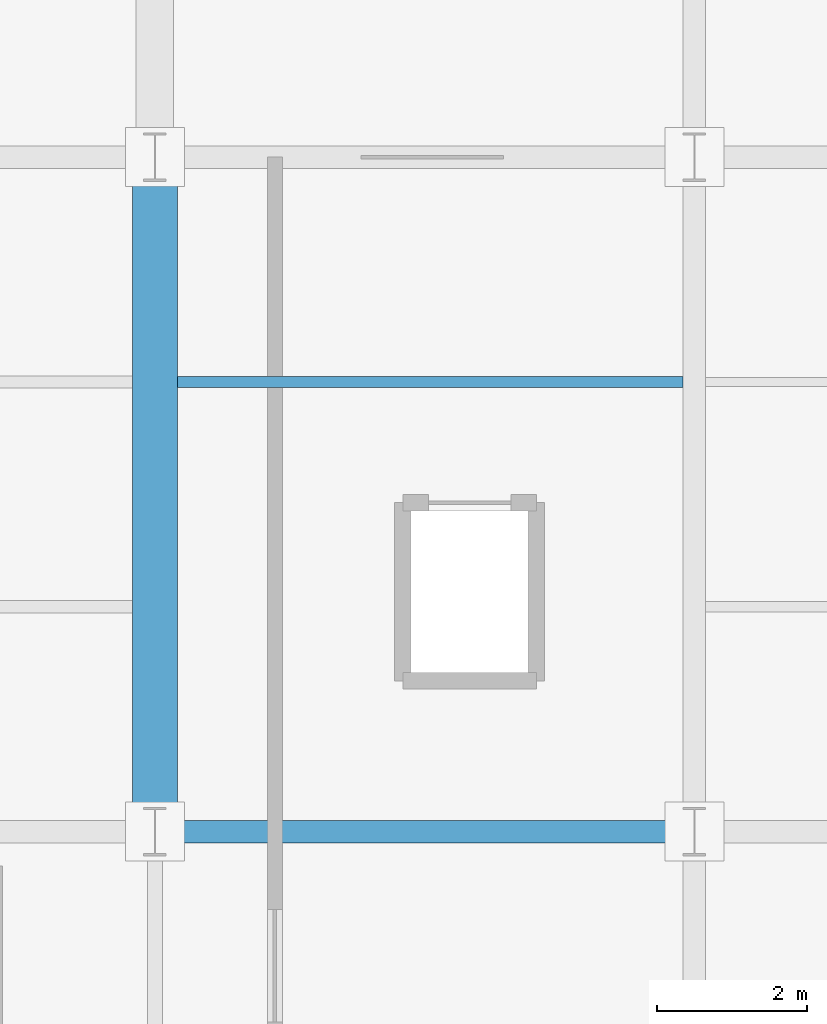
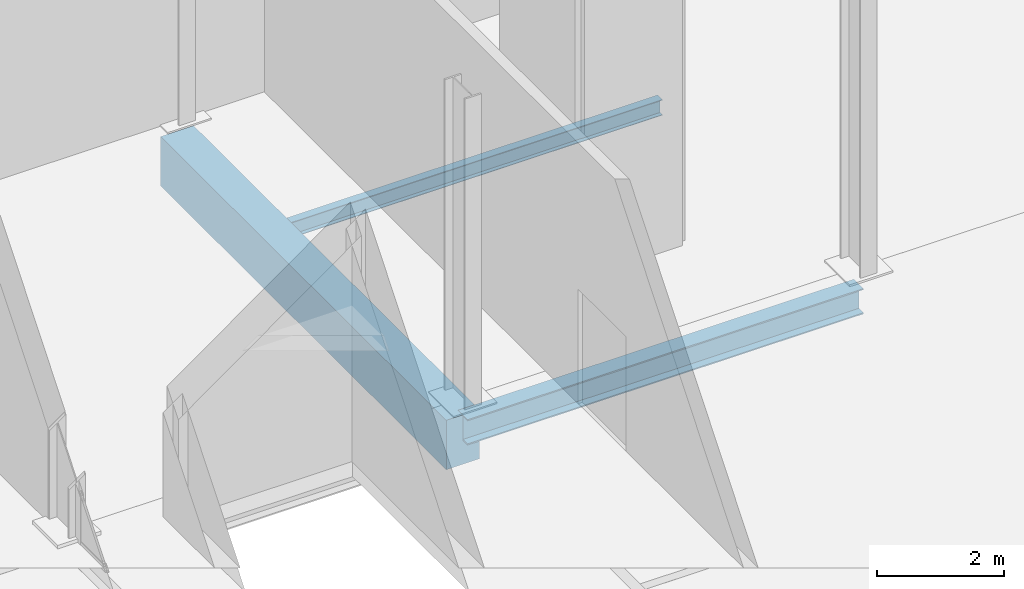
# One storey, part 43 of 144: 3 beams.
"""IFC4 building model written with IfcOpenShell, lengths in metres."""

from ifc_helpers import new_model, si_unit, direction, frame, origin, origin_2d, place, context, subcontext, project, spatial, rectangle, i_section, extrude, material, material_profile, profile_set, type_object, element, save


model = new_model("IFC4")

# Units and contexts
model_context = context("Model", 3, precision=1e-05, world=origin(), true_north=direction((0.0, 1.0)))
body_context = subcontext(model_context, "Body", "Model", "MODEL_VIEW")
ifc_project = project(units=[si_unit("LENGTHUNIT", "METRE"), si_unit("AREAUNIT", "SQUARE_METRE"), si_unit("VOLUMEUNIT", "CUBIC_METRE"), si_unit("PLANEANGLEUNIT", "RADIAN"), si_unit("MASSUNIT", "GRAM", prefix="KILO")], contexts=[model_context])

# Site, building, storey
site_placement = place(None, origin())
site = spatial("IfcSite", under=ifc_project, at=site_placement, CompositionType="ELEMENT")
building_placement = place(site_placement, origin())
building = spatial("IfcBuilding", under=site, at=building_placement, Name="Sundgate Opera House", CompositionType="ELEMENT")
storey_placement = place(building_placement, origin())
storey = spatial("IfcBuildingStorey", under=building, at=storey_placement, Name="L00", CompositionType="ELEMENT", Elevation=0.0)

# Beams
ifc_material_1 = material(Name="Steel S355J2", Category="steel")
ifc_material_profile_1 = material_profile(ifc_material_1, i_section(OverallWidth=0.300048828125, OverallDepth=0.489990234375, WebThickness=0.011962890625, FlangeThickness=0.02294921875, at=origin_2d()), Name="HEA 500")
ifc_profile_set_1 = profile_set([ifc_material_profile_1], Name="Steel S355J2")
beam_type_1 = type_object("IfcBeamType", Name="BM-GR-HEA500", PredefinedType="BEAM", material=ifc_profile_set_1)
beam_1_placement = place(storey_placement, frame((102.60009765625, 33.0, -0.56494140625), z_axis=(1.0, 0.0, 0.0), x_axis=(0.0, 1.0, 0.0)))
element("IfcBeam", 1, at=beam_1_placement, inside=storey, type_object=beam_type_1, Name="L00 Primary E-W Girder B0397", PredefinedType="BEAM", context=body_context, shape_type="SweptSolid", body=[
    extrude(i_section(OverallWidth=0.300048828125, OverallDepth=0.489990234375, WebThickness=0.011962890625, FlangeThickness=0.02294921875, at=origin_2d()), origin(), (0.0, 0.0, 1.0), 7.199951171875),
])
ifc_material_2 = material(Name="Steel S355J2", Category="steel")
ifc_material_profile_2 = material_profile(ifc_material_2, i_section(OverallWidth=0.14990234375, OverallDepth=0.300048828125, WebThickness=0.007080078125, FlangeThickness=0.0107421875, at=origin_2d()), Name="IPE 300")
ifc_profile_set_2 = profile_set([ifc_material_profile_2], Name="Steel S355J2")
beam_type_2 = type_object("IfcBeamType", Name="BM-JS-IPE300", PredefinedType="JOIST", material=ifc_profile_set_2)
beam_2_placement = place(storey_placement, frame((102.89990234375, 39.0, -0.469970703125), z_axis=(1.0, 0.0, 0.0), x_axis=(0.0, 1.0, 0.0)))
element("IfcBeam", 2, at=beam_2_placement, inside=storey, type_object=beam_type_2, Name="L00 Secondary Floor Joist B0732", PredefinedType="JOIST", context=body_context, shape_type="SweptSolid", body=[
    extrude(i_section(OverallWidth=0.14990234375, OverallDepth=0.300048828125, WebThickness=0.007080078125, FlangeThickness=0.0107421875, at=origin_2d()), origin(), (0.0, 0.0, 1.0), 6.75),
])
ifc_material_3 = material(Name="Concrete C40/50", Category="concrete")
ifc_material_profile_3 = material_profile(ifc_material_3, rectangle(XDim=0.60009765625, YDim=0.949951171875, at=origin_2d()), Name="RC 600x950")
ifc_profile_set_3 = profile_set([ifc_material_profile_3], Name="Concrete C40/50")
beam_type_3 = type_object("IfcBeamType", Name="BM-RC-600x950", PredefinedType="BEAM", material=ifc_profile_set_3)
beam_3_placement = place(storey_placement, frame((102.60009765625, 33.0, -0.794921875), z_axis=(0.0, 1.0, 0.0), x_axis=(-1.0, 0.0, 0.0)))
element("IfcBeam", 3, at=beam_3_placement, inside=storey, type_object=beam_type_3, Name="L00 Primary N-S Girder B0208", PredefinedType="BEAM", context=body_context, shape_type="SweptSolid", body=[
    extrude(rectangle(XDim=0.60009765625, YDim=0.949951171875, at=origin_2d()), origin(), (0.0, 0.0, 1.0), 9.0),
])

save(model, "model.ifc")
